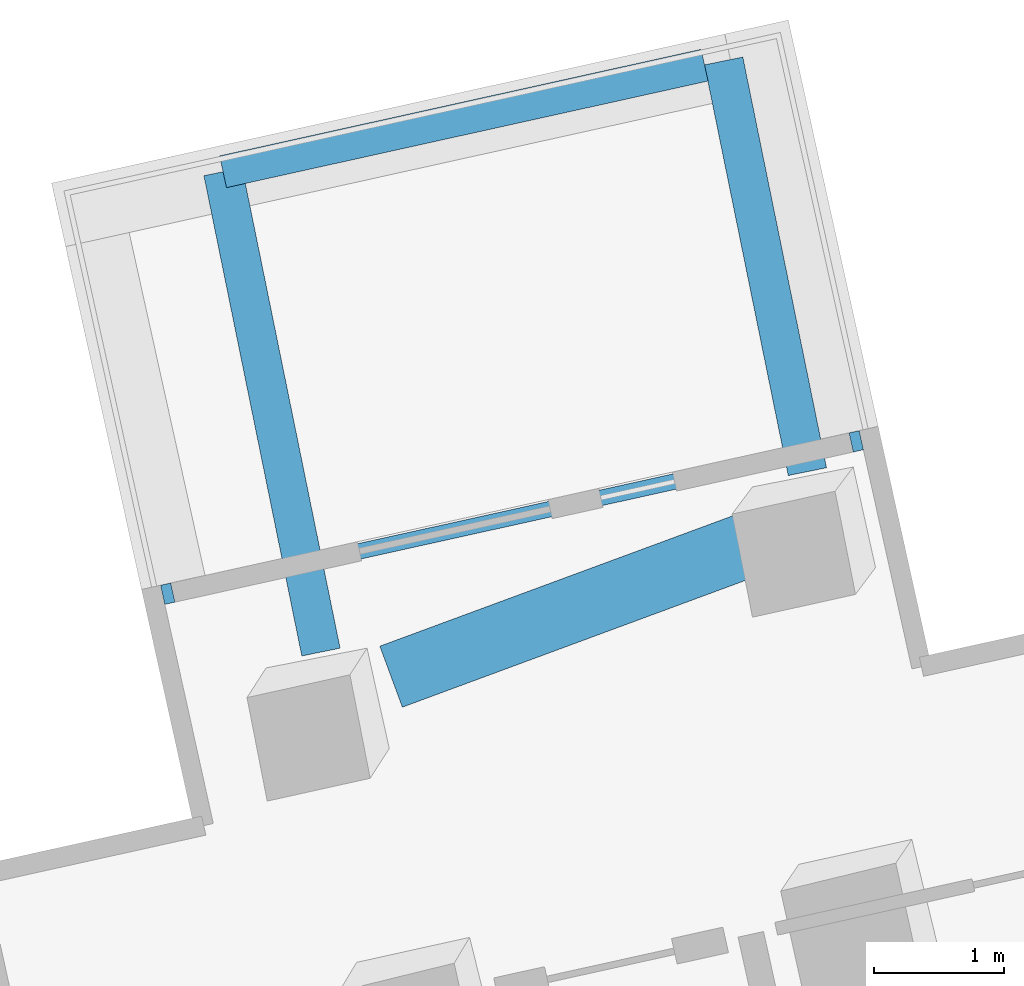
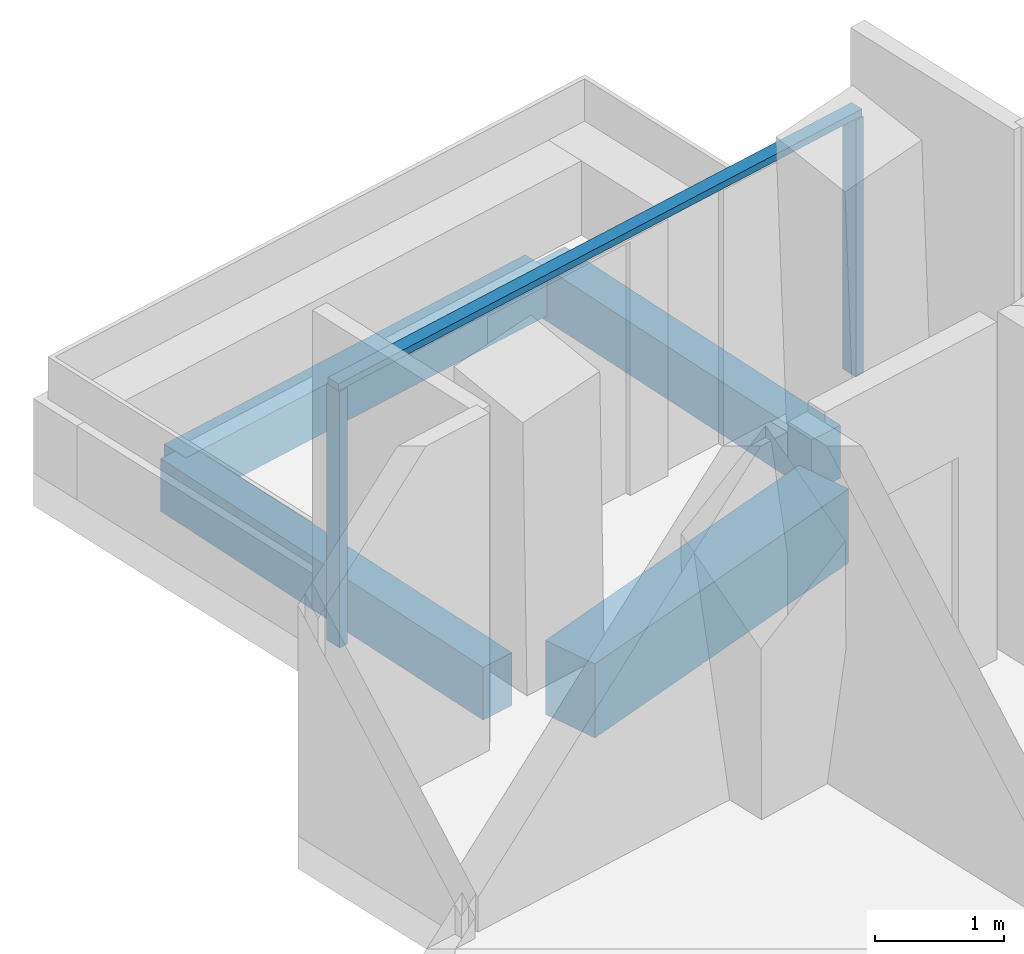
# One storey, part 11 of 24: 4 beams, 3 members, 1 element without a shape of its own.
"""IFC4 building model written with IfcOpenShell, lengths in metres."""

from ifc_helpers import new_model, si_unit, direction, frame, origin, origin_2d, place, context, subcontext, project, spatial, rectangle, extrude, material, layer, layer_set, material_profile, profile_set, type_object, element, aggregate, save


model = new_model("IFC4")

# Units and contexts
model_context = context("Model", 3, precision=1e-05, world=origin(), true_north=direction((0.0, 1.0)))
body_context = subcontext(model_context, "Body", "Model", "MODEL_VIEW")
ifc_project = project(units=[si_unit("LENGTHUNIT", "METRE"), si_unit("AREAUNIT", "SQUARE_METRE"), si_unit("VOLUMEUNIT", "CUBIC_METRE"), si_unit("PLANEANGLEUNIT", "RADIAN"), si_unit("MASSUNIT", "GRAM", prefix="KILO")], contexts=[model_context])

# Site, building, storey
site_placement = place(None, origin())
site = spatial("IfcSite", under=ifc_project, at=site_placement, CompositionType="ELEMENT")
building_placement = place(site_placement, origin())
building = spatial("IfcBuilding", under=site, at=building_placement, Name="Verdalira Terraces Hotel", CompositionType="ELEMENT")
storey_placement = place(building_placement, frame((0.0, 0.0, 86.0)))
storey = spatial("IfcBuildingStorey", under=building, at=storey_placement, Name="L19", CompositionType="ELEMENT", Elevation=86.0)

# Beams
ifc_material_1 = material(Name="Concrete C40", Category="concrete")
ifc_material_profile_1 = material_profile(ifc_material_1, rectangle(XDim=0.300049, YDim=0.5, at=origin_2d()), Name="RC 300X500")
ifc_profile_set_1 = profile_set([ifc_material_profile_1], Name="Concrete C40")
beam_type_1 = type_object("IfcBeamType", Name="Balcony cantilever beam RC 300X500 C40", PredefinedType="BEAM", material=ifc_profile_set_1)
beam_1_placement = place(storey_placement, frame((-5.330078, 34.693604, -0.560059), z_axis=(-0.199670502, 0.979863098, 0.0), x_axis=(-0.979863098, -0.199670502, 0.0)))
element("IfcBeam", 1, at=beam_1_placement, inside=storey, type_object=beam_type_1, Name="Balcony cantilever beam R05-1", PredefinedType="BEAM", context=body_context, shape_type="SweptSolid", body=[
    extrude(rectangle(XDim=0.300049, YDim=0.5, at=origin_2d()), origin(), (0.0, 0.0, 1.0), 3.221924),
])
beam_2_placement = place(storey_placement, frame((-9.069092, 33.306885, -0.560059), z_axis=(-0.199765776, 0.979843679, 0.0), x_axis=(-0.979843679, -0.199765776, 0.0)))
element("IfcBeam", 2, at=beam_2_placement, inside=storey, type_object=beam_type_1, Name="Balcony cantilever beam R05-2", PredefinedType="BEAM", context=body_context, shape_type="SweptSolid", body=[
    extrude(rectangle(XDim=0.300049, YDim=0.5, at=origin_2d()), origin(), (0.0, 0.0, 1.0), 3.767822),
])
ifc_material_2 = material(Name="Concrete C40", Category="concrete")
ifc_material_profile_2 = material_profile(ifc_material_2, rectangle(XDim=0.25, YDim=0.449951, at=origin_2d()), Name="RC 250X450")
ifc_profile_set_2 = profile_set([ifc_material_profile_2], Name="Concrete C40")
beam_type_2 = type_object("IfcBeamType", Name="Balcony edge beam RC 250X450 C40", PredefinedType="BEAM", material=ifc_profile_set_2)
beam_3_placement = place(storey_placement, frame((-6.120117, 37.818115, -0.534912), z_axis=(-0.976368541, -0.216112177, 0.0), x_axis=(0.216112177, -0.976368541, 0.0)))
element("IfcBeam", 3, at=beam_3_placement, inside=storey, type_object=beam_type_2, Name="Balcony edge beam R05-1", PredefinedType="BEAM", context=body_context, shape_type="SweptSolid", body=[
    extrude(rectangle(XDim=0.25, YDim=0.449951, at=origin_2d()), origin(), (0.0, 0.0, 1.0), 3.79126),
])

# Curtain wall, members
ifc_material_3 = material(Name="Clear glass", Category="glass")
ifc_layer = layer(ifc_material_3, 0.14990234375)
ifc_layer_set = layer_set([ifc_layer], Name="CW3 curtain wall")
curtain_wall_type = type_object("IfcCurtainWallType", Name="CW3 curtain wall", PredefinedType="NOTDEFINED", material=ifc_layer_set)
curtain_wall_placement = place(storey_placement, origin())
curtain_wall = element("IfcCurtainWall", 4, at=curtain_wall_placement, inside=storey, type_object=curtain_wall_type, Name="CW3 curtain wall L19 edge 5", PredefinedType="NOTDEFINED")
ifc_material_4 = material(Name="Terracotta frame", Category="masonry")
ifc_material_profile_3 = material_profile(ifc_material_4, rectangle(XDim=0.080078, YDim=0.149902, at=origin_2d()), Name="MU 80x150")
ifc_profile_set_3 = profile_set([ifc_material_profile_3], Name="Terracotta frame")
member_type_1 = type_object("IfcMemberType", Name="CW3 mullion 80x150", PredefinedType="MULLION", material=ifc_profile_set_3)
member_1_placement = place(storey_placement, frame((-4.95459, 34.926514, 0.0), z_axis=(0.0, 0.0, 1.0), x_axis=(-0.976371499, -0.216098809, 0.0)))
member_1 = element("IfcMember", 5, at=member_1_placement, type_object=member_type_1, Name="CW3 mullion", PredefinedType="MULLION", context=body_context, shape_type="SweptSolid", body=[
    extrude(rectangle(XDim=0.080078, YDim=0.149902, at=origin_2d()), origin(), (0.0, 0.0, 1.0), 2.425049),
])
member_2_placement = place(storey_placement, frame((-10.246582, 33.755371, 0.0), z_axis=(0.0, 0.0, 1.0), x_axis=(-0.976371499, -0.216098809, 0.0)))
member_2 = element("IfcMember", 6, at=member_2_placement, type_object=member_type_1, Name="CW3 mullion", PredefinedType="MULLION", context=body_context, shape_type="SweptSolid", body=[
    extrude(rectangle(XDim=0.080078, YDim=0.149902, at=origin_2d()), origin(), (0.0, 0.0, 1.0), 2.425049),
])
ifc_material_5 = material(Name="Terracotta frame", Category="masonry")
ifc_material_profile_4 = material_profile(ifc_material_5, rectangle(XDim=0.120117, YDim=0.064941, at=origin_2d()), Name="TR 65x120")
ifc_profile_set_4 = profile_set([ifc_material_profile_4], Name="Terracotta frame")
member_type_2 = type_object("IfcMemberType", Name="CW3 transom 65x120", PredefinedType="USERDEFINED", material=ifc_profile_set_4)
member_3_placement = place(storey_placement, frame((-4.915527, 34.935303, 2.45752), z_axis=(-0.976365327, -0.216126695, 0.0), x_axis=(0.216126695, -0.976365327, 0.0)))
member_3 = element("IfcMember", 7, at=member_3_placement, type_object=member_type_2, Name="CW3 transom", ObjectType="TRANSOM", PredefinedType="USERDEFINED", context=body_context, shape_type="SweptSolid", body=[
    extrude(rectangle(XDim=0.120117, YDim=0.064941, at=origin_2d()), origin(), (0.0, 0.0, 1.0), 5.5),
])
aggregate(curtain_wall, [member_1, member_2, member_3])

# Beam
ifc_material_6 = material(Name="Concrete C70", Category="concrete")
ifc_material_profile_5 = material_profile(ifc_material_6, rectangle(XDim=0.5, YDim=0.699951, at=origin_2d()), Name="RC 500X700")
ifc_profile_set_5 = profile_set([ifc_material_profile_5], Name="Concrete C70")
beam_type_3 = type_object("IfcBeamType", Name="Spandrel beam RC 500X700 C70", PredefinedType="SPANDREL", material=ifc_profile_set_5)
beam_4_placement = place(storey_placement, frame((-5.64502, 34.183594, -0.659912), z_axis=(-0.938014698, -0.346595478, 0.0), x_axis=(0.346595478, -0.938014698, 0.0)))
element("IfcBeam", 8, at=beam_4_placement, inside=storey, type_object=beam_type_3, Name="Spandrel beam B02", PredefinedType="SPANDREL", context=body_context, shape_type="SweptSolid", body=[
    extrude(rectangle(XDim=0.5, YDim=0.699951, at=origin_2d()), origin(), (0.0, 0.0, 1.0), 3.075439),
])

save(model, "model.ifc")
